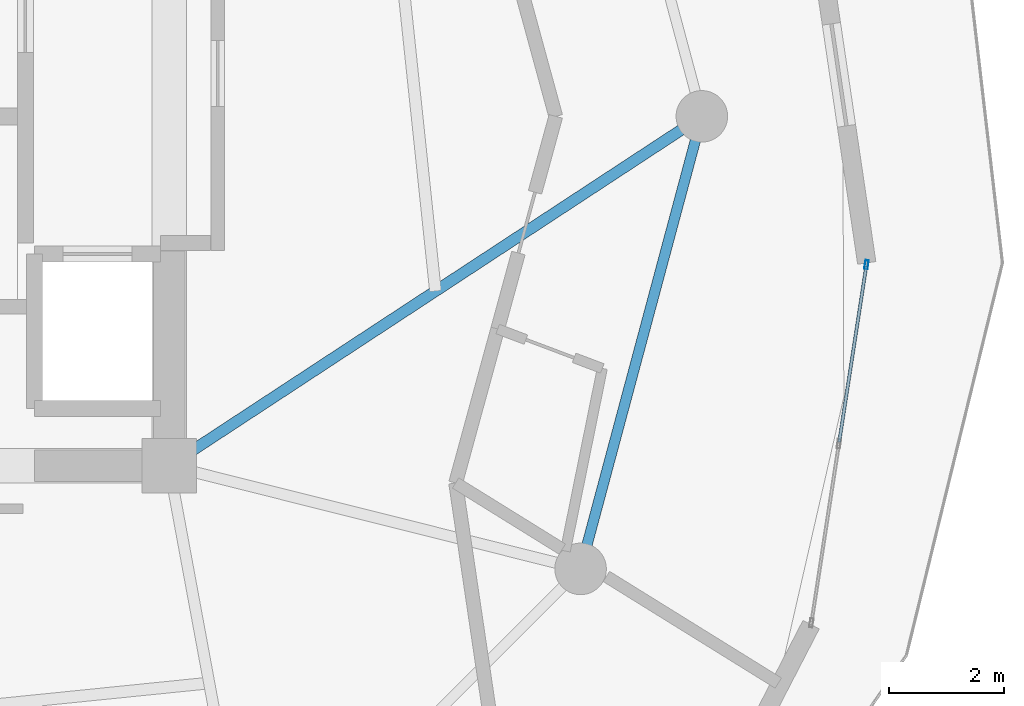
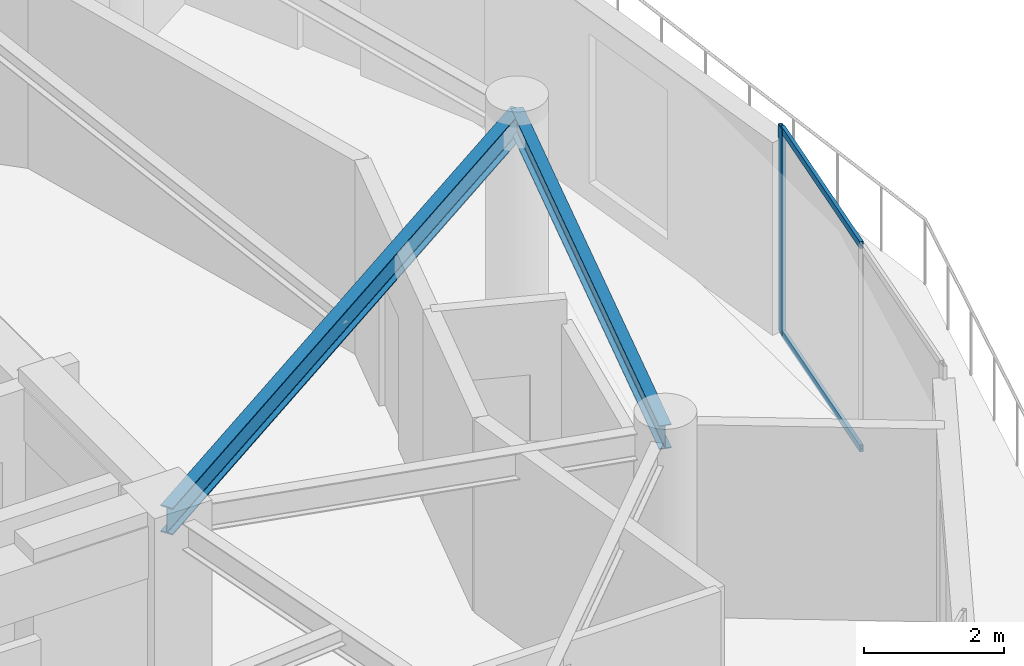
# One storey, part 13 of 24: 3 members, 2 beams, 1 element without a shape of its own.
"""IFC4 building model written with IfcOpenShell, lengths in metres."""

from ifc_helpers import new_model, si_unit, direction, frame, origin, origin_2d, place, context, subcontext, project, spatial, hollow_rectangle, i_section, extrude, source, transform, mapped, material, layer, layer_set, material_profile, profile_set, type_object, element, aggregate, save


model = new_model("IFC4")

# Units and contexts
model_context = context("Model", 3, precision=1e-05, world=origin(), true_north=direction((0.0, 1.0)))
body_context = subcontext(model_context, "Body", "Model", "MODEL_VIEW")
ifc_project = project(units=[si_unit("LENGTHUNIT", "METRE"), si_unit("AREAUNIT", "SQUARE_METRE"), si_unit("VOLUMEUNIT", "CUBIC_METRE"), si_unit("PLANEANGLEUNIT", "RADIAN"), si_unit("MASSUNIT", "GRAM", prefix="KILO")], contexts=[model_context])

# Site, building, storey
site_placement = place(None, origin())
site = spatial("IfcSite", under=ifc_project, at=site_placement, CompositionType="ELEMENT")
building_placement = place(site_placement, origin())
building = spatial("IfcBuilding", under=site, at=building_placement, Name="Solvirekh Grand Hotel", CompositionType="ELEMENT")
storey_placement = place(building_placement, frame((0.0, 0.0, 184.0)))
storey = spatial("IfcBuildingStorey", under=building, at=storey_placement, Name="L47", CompositionType="ELEMENT", Elevation=184.0)

# Beams
ifc_material_1 = material(Name="Steel S355", Category="steel")
ifc_material_profile_1 = material_profile(ifc_material_1, i_section(OverallWidth=0.194091796875, OverallDepth=0.468994140625, WebThickness=0.010986328125, FlangeThickness=0.01904296875, FilletRadius=0.012939453125, at=origin_2d()), Name="W460X106")
ifc_profile_set_1 = profile_set([ifc_material_profile_1], Name="Steel S355")
beam_type_1 = type_object("IfcBeamType", Name="Beam_Radial_W460H", PredefinedType="BEAM", material=ifc_profile_set_1)
beam_1_placement = place(storey_placement, frame((6.5, -6.10009765625, 3.1259765625), z_axis=(0.836174064962, 0.548464158432, 0.0), x_axis=(-0.548464158432, 0.836174064962, 0.0)))
element("IfcBeam", 1, at=beam_1_placement, inside=storey, type_object=beam_type_1, Name="L47 radial floor beam R01", PredefinedType="BEAM", context=body_context, shape_type="SweptSolid", body=[
    extrude(i_section(OverallWidth=0.194091796875, OverallDepth=0.468994140625, WebThickness=0.010986328125, FlangeThickness=0.01904296875, FilletRadius=0.012939453125, at=origin_2d()), origin(), (0.0, 0.0, 1.0), 11.1220703125),
])
ifc_material_profile_2 = material_profile(ifc_material_1, i_section(OverallWidth=0.180908203125, OverallDepth=0.4169921875, WebThickness=0.010009765625, FlangeThickness=0.01611328125, FilletRadius=0.011962890625, at=origin_2d()), Name="W410X85")
ifc_profile_set_2 = profile_set([ifc_material_profile_2], Name="Steel S355")
beam_type_2 = type_object("IfcBeamType", Name="Spandrel_Ring_W410", PredefinedType="SPANDREL", material=ifc_profile_set_2)
beam_2_placement = place(storey_placement, frame((13.68310546875, -7.89990234375, 3.152099609375), z_axis=(0.258838541915, 0.965920601923, 0.0), x_axis=(-0.965920601923, 0.258838541915, 0.0)))
element("IfcBeam", 2, at=beam_2_placement, inside=storey, type_object=beam_type_2, Name="L47 perimeter spandrel beam 12", PredefinedType="SPANDREL", context=body_context, shape_type="SweptSolid", body=[
    extrude(i_section(OverallWidth=0.180908203125, OverallDepth=0.4169921875, WebThickness=0.010009765625, FlangeThickness=0.01611328125, FilletRadius=0.011962890625, at=origin_2d()), origin(), (0.0, 0.0, 1.0), 8.1787109375),
])

# Curtain wall, members
ifc_material_2 = material(Name="Anodized Bronze Aluminium 6063-T6", Category="aluminium")
ifc_layer = layer(ifc_material_2, 0.159912109375)
ifc_layer_set = layer_set([ifc_layer], Name="Anodized Bronze Aluminium 6063-T6")
curtain_wall_type = type_object("IfcCurtainWallType", Name="CW_Sys4_HighZoneFlushBronzeCW", PredefinedType="NOTDEFINED", material=ifc_layer_set)
curtain_wall_placement = place(storey_placement, origin())
curtain_wall = element("IfcCurtainWall", 3, at=curtain_wall_placement, inside=storey, type_object=curtain_wall_type, Name="L47 unitised bronze-glass curtain wall CW-L47-C03", PredefinedType="NOTDEFINED")
ifc_material_profile_3 = material_profile(ifc_material_2, hollow_rectangle(XDim=0.06005859375, YDim=0.159912109375, WallThickness=0.0048828125, at=origin_2d()), Name="ALU RHS 160X60X5")
ifc_profile_set_3 = profile_set([ifc_material_profile_3], Name="Anodized Bronze Aluminium 6063-T6")
member_type_1 = type_object("IfcMemberType", Name="CWMullion_Sys4", PredefinedType="MULLION", material=ifc_profile_set_3)
shared_shape_1 = source(origin(), body_context, "Body", "SweptSolid", [
    extrude(hollow_rectangle(XDim=0.06005859375, YDim=0.159912109375, WallThickness=0.0048828125, at=origin_2d()), origin(), (0.0, 0.0, 1.0), 3.60009765625),
])
member_1_placement = place(storey_placement, frame((18.674560546875, -2.587646484375, 0.0), z_axis=(0.0, 0.0, 1.0), x_axis=(-0.988384360076, 0.151974855674, 0.0)))
member_1 = element("IfcMember", 4, at=member_1_placement, type_object=member_type_1, Name="U04 mullion 3", PredefinedType="MULLION", context=body_context, shape_type="MappedRepresentation", body=[
    mapped(shared_shape_1, transform((0.0, 0.0, 0.0), x_axis=(1.0, 0.0, 0.0), y_axis=(0.0, 1.0, 0.0), z_axis=(0.0, 0.0, 1.0), scale=1.0)),
])
ifc_material_profile_4 = material_profile(ifc_material_2, hollow_rectangle(XDim=0.054931640625, YDim=0.1201171875, WallThickness=0.00390625, at=origin_2d()), Name="ALU RHS 120X55X4")
ifc_profile_set_4 = profile_set([ifc_material_profile_4], Name="Anodized Bronze Aluminium 6063-T6")
member_type_2 = type_object("IfcMemberType", Name="CWTransom_Sys4", PredefinedType="USERDEFINED", material=ifc_profile_set_4)
shared_shape_2 = source(origin(), body_context, "Body", "SweptSolid", [
    extrude(hollow_rectangle(XDim=0.054931640625, YDim=0.1201171875, WallThickness=0.00390625, at=origin_2d()), origin(), (0.0, 0.0, 1.0), 3.104736328125),
])
member_2_placement = place(storey_placement, frame((18.197998046875, -5.685791015625, 0.027587890625), z_axis=(0.152004002247, 0.988379878033, 0.0), x_axis=(-0.988379878033, 0.152004002247, 0.0)))
member_2 = element("IfcMember", 5, at=member_2_placement, type_object=member_type_2, Name="U04 transom 2.1", ObjectType="TRANSOM", PredefinedType="USERDEFINED", context=body_context, shape_type="MappedRepresentation", body=[
    mapped(shared_shape_2, transform((0.0, 0.0, 0.0), x_axis=(1.0, 0.0, 0.0), y_axis=(0.0, 1.0, 0.0), z_axis=(0.0, 0.0, 1.0), scale=1.0)),
])
member_3_placement = place(storey_placement, frame((18.197998046875, -5.685791015625, 3.572509765625), z_axis=(0.152004002247, 0.988379878033, 0.0), x_axis=(-0.988379878033, 0.152004002247, 0.0)))
member_3 = element("IfcMember", 6, at=member_3_placement, type_object=member_type_2, Name="U04 transom 2.2", ObjectType="TRANSOM", PredefinedType="USERDEFINED", context=body_context, shape_type="MappedRepresentation", body=[
    mapped(shared_shape_2, transform((0.0, 0.0, 0.0), x_axis=(1.0, 0.0, 0.0), y_axis=(0.0, 1.0, 0.0), z_axis=(0.0, 0.0, 1.0), scale=1.0)),
])
aggregate(curtain_wall, [member_1, member_2, member_3])

save(model, "model.ifc")
